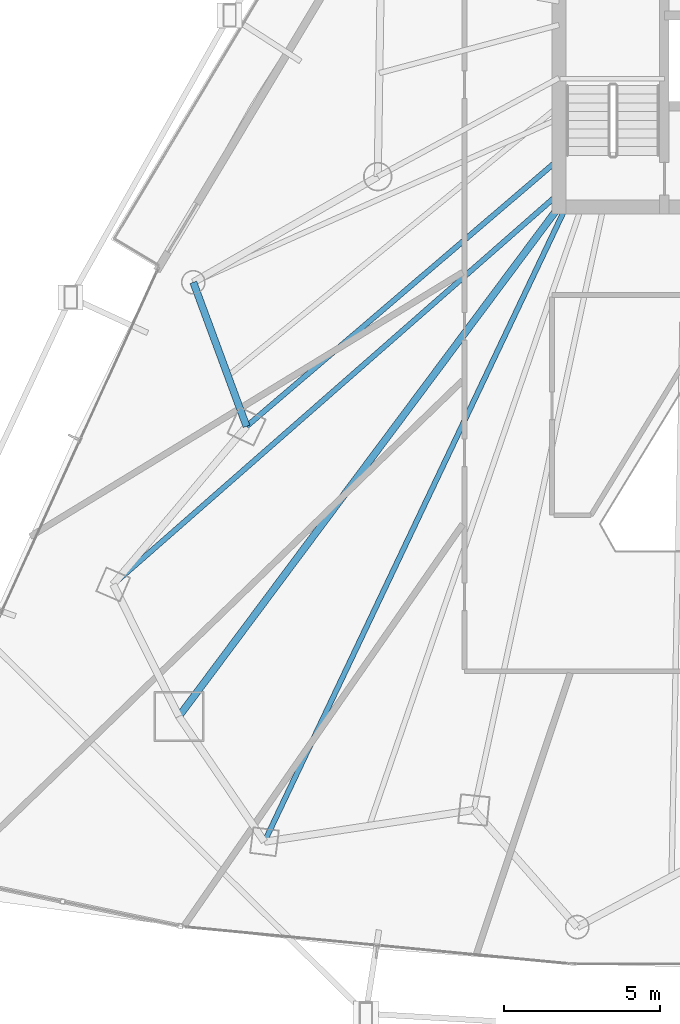
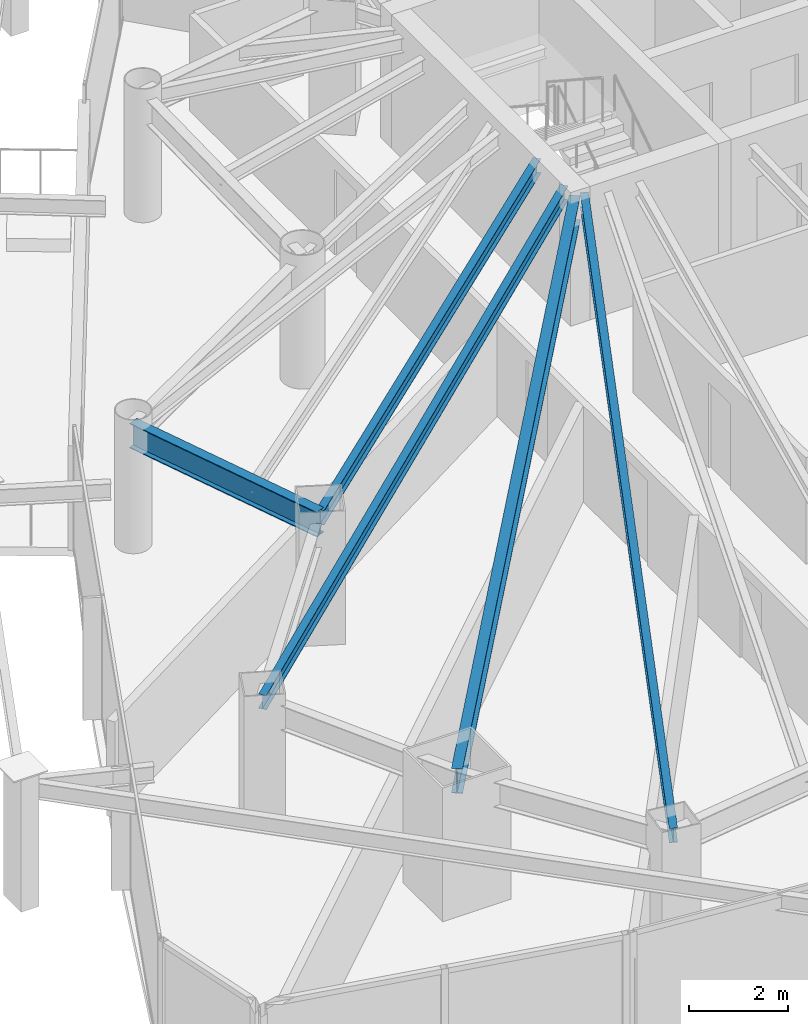
# One storey, part 9 of 33: 5 beams.
"""IFC4 building model written with IfcOpenShell, lengths in metres."""

from ifc_helpers import new_model, si_unit, direction, frame, origin, origin_2d, place, context, subcontext, project, spatial, i_section, extrude, material, material_profile, profile_set, type_object, element, save


model = new_model("IFC4")

# Units and contexts
model_context = context("Model", 3, precision=1e-05, world=origin(), true_north=direction((0.0, 1.0)))
body_context = subcontext(model_context, "Body", "Model", "MODEL_VIEW")
ifc_project = project(units=[si_unit("LENGTHUNIT", "METRE"), si_unit("AREAUNIT", "SQUARE_METRE"), si_unit("VOLUMEUNIT", "CUBIC_METRE"), si_unit("PLANEANGLEUNIT", "RADIAN"), si_unit("MASSUNIT", "GRAM", prefix="KILO")], contexts=[model_context])

# Site, building, storey
site_placement = place(None, origin())
site = spatial("IfcSite", under=ifc_project, at=site_placement, CompositionType="ELEMENT")
building_placement = place(site_placement, origin())
building = spatial("IfcBuilding", under=site, at=building_placement, Name="Orvanel Arch Residences", CompositionType="ELEMENT")
storey_placement = place(building_placement, frame((0.0, 0.0, 93.949951171875)))
storey = spatial("IfcBuildingStorey", under=building, at=storey_placement, Name="L26", CompositionType="ELEMENT", Elevation=93.949951171875)

# Beams
ifc_material = material(Name="Structural steel AS/NZS 3679.1 Grade 300 (300 MPa)", Category="steel")
ifc_material_profile_1 = material_profile(ifc_material, i_section(OverallWidth=0.22900390625, OverallDepth=0.612060546875, WebThickness=0.011962890625, FlangeThickness=0.01953125, at=origin_2d()), Name="610UB125")
ifc_profile_set_1 = profile_set([ifc_material_profile_1], Name="Structural steel AS/NZS 3679.1 Grade 300 (300 MPa)")
beam_type_1 = type_object("IfcBeamType", Name="BG-610UB", PredefinedType="BEAM", material=ifc_profile_set_1)
beam_1_placement = place(storey_placement, frame((26.375, 26.675048828125, 2.714111328125), z_axis=(-0.597893733742, -0.801575375839, 0.0), x_axis=(0.801575375839, -0.597893733742, 0.0)))
element("IfcBeam", 1, at=beam_1_placement, inside=storey, type_object=beam_type_1, Name="L26 South-West Radial Girder", PredefinedType="BEAM", context=body_context, shape_type="SweptSolid", body=[
    extrude(i_section(OverallWidth=0.22900390625, OverallDepth=0.612060546875, WebThickness=0.011962890625, FlangeThickness=0.01953125, at=origin_2d()), origin(), (0.0, 0.0, 1.0), 20.36474609375),
])
ifc_material_profile_2 = material_profile(ifc_material, i_section(OverallWidth=0.1708984375, OverallDepth=0.35595703125, WebThickness=0.00732421875, FlangeThickness=0.011474609375, at=origin_2d()), Name="360UB50.7")
ifc_profile_set_2 = profile_set([ifc_material_profile_2], Name="Structural steel AS/NZS 3679.1 Grade 300 (300 MPa)")
beam_type_2 = type_object("IfcBeamType", Name="BJ-360UB", PredefinedType="JOIST", material=ifc_profile_set_2)
beam_2_placement = place(storey_placement, frame((26.375, 28.199951171875, 2.842041015625), z_axis=(-0.760024297953, -0.649894658018, 0.0), x_axis=(0.649894658018, -0.760024297953, 0.0)))
element("IfcBeam", 2, at=beam_2_placement, inside=storey, type_object=beam_type_2, Name="L26 W Wing Floor Joist", PredefinedType="JOIST", context=body_context, shape_type="SweptSolid", body=[
    extrude(i_section(OverallWidth=0.1708984375, OverallDepth=0.35595703125, WebThickness=0.00732421875, FlangeThickness=0.011474609375, at=origin_2d()), origin(), (0.0, 0.0, 1.0), 13.16796875),
])
beam_3_placement = place(storey_placement, frame((26.375, 27.10009765625, 2.842041015625), z_axis=(-0.751924114057, -0.659249669472, 0.0), x_axis=(0.659249669472, -0.751924114057, 0.0)))
element("IfcBeam", 3, at=beam_3_placement, inside=storey, type_object=beam_type_2, Name="L26 MW Wing Floor Joist", PredefinedType="JOIST", context=body_context, shape_type="SweptSolid", body=[
    extrude(i_section(OverallWidth=0.1708984375, OverallDepth=0.35595703125, WebThickness=0.00732421875, FlangeThickness=0.011474609375, at=origin_2d()), origin(), (0.0, 0.0, 1.0), 18.9912109375),
])
beam_4_placement = place(storey_placement, frame((26.60009765625, 26.675048828125, 2.842041015625), z_axis=(-0.429042657795, -0.903284228686, 0.0), x_axis=(0.903284228686, -0.429042657795, 0.0)))
element("IfcBeam", 4, at=beam_4_placement, inside=storey, type_object=beam_type_2, Name="L26 MSW Wing Floor Joist", PredefinedType="JOIST", context=body_context, shape_type="SweptSolid", body=[
    extrude(i_section(OverallWidth=0.1708984375, OverallDepth=0.35595703125, WebThickness=0.00732421875, FlangeThickness=0.011474609375, at=origin_2d()), origin(), (0.0, 0.0, 1.0), 22.513427734375),
])
ifc_material_profile_3 = material_profile(ifc_material, i_section(OverallWidth=0.22900390625, OverallDepth=0.612060546875, WebThickness=0.011962890625, FlangeThickness=0.01953125, at=origin_2d()), Name="610UB125")
ifc_profile_set_3 = profile_set([ifc_material_profile_3], Name="Structural steel AS/NZS 3679.1 Grade 300 (300 MPa)")
beam_type_3 = type_object("IfcBeamType", Name="SP-610UB", PredefinedType="SPANDREL", material=ifc_profile_set_3)
beam_5_placement = place(storey_placement, frame((14.662109375, 24.256103515625, 2.714111328125), z_axis=(0.346588434017, -0.938017301229, 0.0), x_axis=(0.938017301229, 0.346588434017, 0.0)))
element("IfcBeam", 5, at=beam_5_placement, inside=storey, type_object=beam_type_3, Name="L26 Perimeter Spandrel Beam 22", PredefinedType="SPANDREL", context=body_context, shape_type="SweptSolid", body=[
    extrude(i_section(OverallWidth=0.22900390625, OverallDepth=0.612060546875, WebThickness=0.011962890625, FlangeThickness=0.01953125, at=origin_2d()), origin(), (0.0, 0.0, 1.0), 4.9189453125),
])

save(model, "model.ifc")
